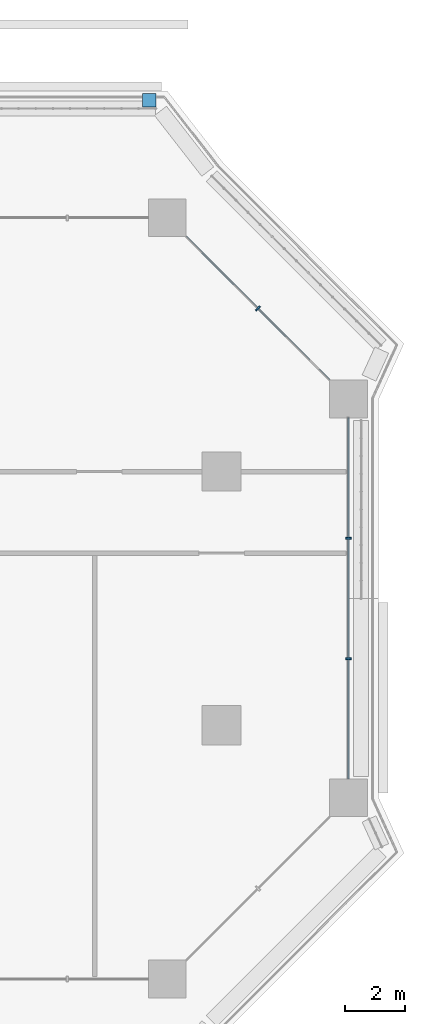
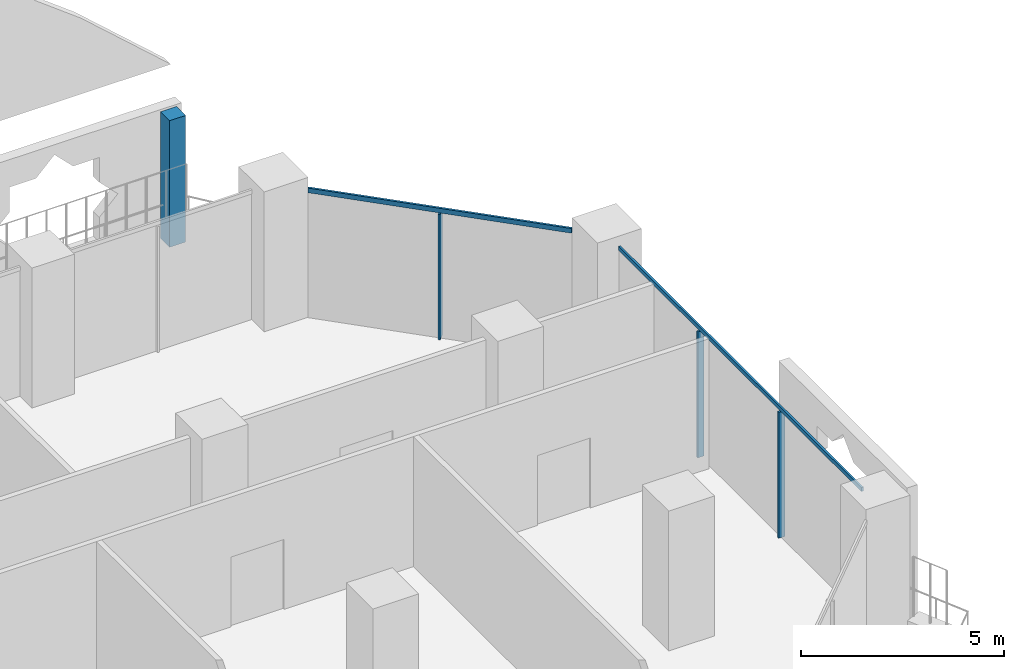
# One storey, part 10 of 27: 6 members, 3 elements without a shape of their own.
"""IFC4 building model written with IfcOpenShell, lengths in metres."""

from ifc_helpers import new_model, si_unit, direction, frame, origin, origin_2d, place, context, subcontext, project, spatial, rectangle, extrude, material, layer, layer_set, material_profile, profile_set, type_object, element, aggregate, save


model = new_model("IFC4")

# Units and contexts
model_context = context("Model", 3, precision=1e-05, world=origin(), true_north=direction((0.0, 1.0)))
body_context = subcontext(model_context, "Body", "Model", "MODEL_VIEW")
ifc_project = project(units=[si_unit("LENGTHUNIT", "METRE"), si_unit("AREAUNIT", "SQUARE_METRE"), si_unit("VOLUMEUNIT", "CUBIC_METRE"), si_unit("PLANEANGLEUNIT", "RADIAN"), si_unit("MASSUNIT", "GRAM", prefix="KILO")], contexts=[model_context])

# Site, building, storey
site_placement = place(None, origin())
site = spatial("IfcSite", under=ifc_project, at=site_placement, CompositionType="ELEMENT")
building_placement = place(site_placement, origin())
building = spatial("IfcBuilding", under=site, at=building_placement, Name="Kawkab Arch Medical Tower", CompositionType="ELEMENT")
storey_placement = place(building_placement, frame((0.0, 0.0, 39.199951171875)))
storey = spatial("IfcBuildingStorey", under=building, at=storey_placement, Name="L08", CompositionType="ELEMENT", Elevation=39.199951171875)

# Curtain wall, members
ifc_material_1 = material(Name="Bronze anodised aluminium curtain wall frame", Category="aluminium")
ifc_layer_1 = layer(ifc_material_1, 0.159912109375)
ifc_layer_set_1 = layer_set([ifc_layer_1], Name="Bronze anodised aluminium curtain wall frame")
curtain_wall_type_1 = type_object("IfcCurtainWallType", Name="CW1 ward curtain wall", PredefinedType="NOTDEFINED", material=ifc_layer_set_1)
placement = place(storey_placement, origin())
curtain_wall_1 = element("IfcCurtainWall", 1, at=placement, inside=storey, type_object=curtain_wall_type_1, Name="CW1 Ward curtain wall R07", PredefinedType="NOTDEFINED")
ifc_material_2 = material(Name="Bronze anodised aluminium curtain wall frame", Category="aluminium")
ifc_material_profile_1 = material_profile(ifc_material_2, rectangle(XDim=0.179931640625, YDim=0.06005859375, at=origin_2d()), Name="AL 60x180")
ifc_profile_set_1 = profile_set([ifc_material_profile_1], Name="Bronze anodised aluminium curtain wall frame")
member_type_1 = type_object("IfcMemberType", Name="CW1 mullion 60 x 180", PredefinedType="MULLION", material=ifc_profile_set_1)
member_1_placement = place(storey_placement, frame((79.800048828125, -14.591552734375, 0.0), z_axis=(0.0, 0.0, 1.0), x_axis=(-1.0, 0.0, 0.0)))
member_1 = element("IfcMember", 2, at=member_1_placement, type_object=member_type_1, Name="CW1 mullion 1.1", PredefinedType="MULLION", context=body_context, shape_type="SweptSolid", body=[
    extrude(rectangle(XDim=0.179931640625, YDim=0.06005859375, at=origin_2d()), origin(), (0.0, 0.0, 1.0), 3.780029296875),
])
member_2_placement = place(storey_placement, frame((79.800048828125, -10.6083984375, 0.0), z_axis=(0.0, 0.0, 1.0), x_axis=(-1.0, 0.0, 0.0)))
member_2 = element("IfcMember", 3, at=member_2_placement, type_object=member_type_1, Name="CW1 mullion 1.2", PredefinedType="MULLION", context=body_context, shape_type="SweptSolid", body=[
    extrude(rectangle(XDim=0.179931640625, YDim=0.06005859375, at=origin_2d()), origin(), (0.0, 0.0, 1.0), 3.780029296875),
])
ifc_material_3 = material(Name="Bronze anodised aluminium curtain wall frame", Category="aluminium")
ifc_material_profile_2 = material_profile(ifc_material_3, rectangle(XDim=0.06005859375, YDim=0.1201171875, at=origin_2d()), Name="AL 60x120")
ifc_profile_set_2 = profile_set([ifc_material_profile_2], Name="Bronze anodised aluminium curtain wall frame")
member_type_2 = type_object("IfcMemberType", Name="CW1 transom 120 x 60", PredefinedType="USERDEFINED", material=ifc_profile_set_2)
member_3_placement = place(storey_placement, frame((79.800048828125, -18.574951171875, 3.840087890625), z_axis=(0.0, 1.0, 0.0), x_axis=(-1.0, 0.0, 0.0)))
member_3 = element("IfcMember", 4, at=member_3_placement, type_object=member_type_2, Name="CW1 transom 1", ObjectType="TRANSOM", PredefinedType="USERDEFINED", context=body_context, shape_type="SweptSolid", body=[
    extrude(rectangle(XDim=0.06005859375, YDim=0.1201171875, at=origin_2d()), origin(), (0.0, 0.0, 1.0), 11.949951171875),
])
aggregate(curtain_wall_1, [member_3, member_1, member_2])

ifc_material_4 = material(Name="Bronze anodised aluminium curtain wall frame", Category="aluminium")
ifc_layer_2 = layer(ifc_material_4, 0.159912109375)
ifc_layer_set_2 = layer_set([ifc_layer_2], Name="Bronze anodised aluminium curtain wall frame")
curtain_wall_type_2 = type_object("IfcCurtainWallType", Name="CW2 chamfer curtain wall", PredefinedType="NOTDEFINED", material=ifc_layer_set_2)
curtain_wall_2 = element("IfcCurtainWall", 5, at=placement, inside=storey, type_object=curtain_wall_type_2, Name="CW2 Chamfer curtain wall R08", PredefinedType="NOTDEFINED")
ifc_material_5 = material(Name="Bronze anodised aluminium curtain wall frame", Category="aluminium")
ifc_material_profile_3 = material_profile(ifc_material_5, rectangle(XDim=0.199951171875, YDim=0.06005859375, at=origin_2d()), Name="AL 60x200")
ifc_profile_set_3 = profile_set([ifc_material_profile_3], Name="Bronze anodised aluminium curtain wall frame")
member_type_3 = type_object("IfcMemberType", Name="CW2 mullion 60 x 200", PredefinedType="MULLION", material=ifc_profile_set_3)
member_4_placement = place(storey_placement, frame((76.800048828125, -3.0, 0.0), z_axis=(0.0, 0.0, 1.0), x_axis=(-0.707106781187, -0.707106781187, 0.0)))
member_4 = element("IfcMember", 6, at=member_4_placement, type_object=member_type_3, Name="CW2 mullion 1.1", PredefinedType="MULLION", context=body_context, shape_type="SweptSolid", body=[
    extrude(rectangle(XDim=0.199951171875, YDim=0.06005859375, at=origin_2d()), origin(), (0.0, 0.0, 1.0), 3.760009765625),
])
ifc_material_6 = material(Name="Bronze anodised aluminium curtain wall frame", Category="aluminium")
ifc_material_profile_4 = material_profile(ifc_material_6, rectangle(XDim=0.06005859375, YDim=0.139892578125, at=origin_2d()), Name="AL 60x140")
ifc_profile_set_4 = profile_set([ifc_material_profile_4], Name="Bronze anodised aluminium curtain wall frame")
member_type_4 = type_object("IfcMemberType", Name="CW2 transom 140 x 60", PredefinedType="USERDEFINED", material=ifc_profile_set_4)
member_5_placement = place(storey_placement, frame((79.175048828125, -5.375, 3.830078125), z_axis=(-0.707106781187, 0.707106781187, 0.0), x_axis=(-0.707106781187, -0.707106781187, 0.0)))
member_5 = element("IfcMember", 7, at=member_5_placement, type_object=member_type_4, Name="CW2 transom 1", ObjectType="TRANSOM", PredefinedType="USERDEFINED", context=body_context, shape_type="SweptSolid", body=[
    extrude(rectangle(XDim=0.06005859375, YDim=0.139892578125, at=origin_2d()), origin(), (0.0, 0.0, 1.0), 6.717529296875),
])
aggregate(curtain_wall_2, [member_5, member_4])

# Curtain wall, member
ifc_material_7 = material(Name="Bronze anodised aluminium climber frame, planted", Category="aluminium")
ifc_layer_3 = layer(ifc_material_7, 0.449951171875)
ifc_layer_set_3 = layer_set([ifc_layer_3], Name="Bronze anodised aluminium climber frame, planted")
curtain_wall_type_3 = type_object("IfcCurtainWallType", Name="Planted climber frame", PredefinedType="NOTDEFINED", material=ifc_layer_set_3)
curtain_wall_3 = element("IfcCurtainWall", 8, at=placement, inside=storey, type_object=curtain_wall_type_3, Name="Planted climber frame L08", PredefinedType="NOTDEFINED")
ifc_material_8 = material(Name="Bronze anodised aluminium climber frame, planted", Category="aluminium")
ifc_material_profile_5 = material_profile(ifc_material_8, rectangle(XDim=0.449951171875, YDim=0.449951171875, at=origin_2d()), Name="Post 450x450")
ifc_profile_set_5 = profile_set([ifc_material_profile_5], Name="Bronze anodised aluminium climber frame, planted")
member_type_5 = type_object("IfcMemberType", Name="Planted climber post 450 x 450", PredefinedType="MULLION", material=ifc_profile_set_5)
member_6_placement = place(storey_placement, frame((73.202880859375, 3.89990234375, 0.0), z_axis=(0.0, 0.0, 1.0), x_axis=(1.0, 0.0, 0.0)))
member_6 = element("IfcMember", 9, at=member_6_placement, type_object=member_type_5, Name="Planted climber post L08.LOG-01-01.4", PredefinedType="MULLION", context=body_context, shape_type="SweptSolid", body=[
    extrude(rectangle(XDim=0.449951171875, YDim=0.449951171875, at=origin_2d()), origin(), (0.0, 0.0, 1.0), 3.800048828125),
])
aggregate(curtain_wall_3, [member_6])

save(model, "model.ifc")
